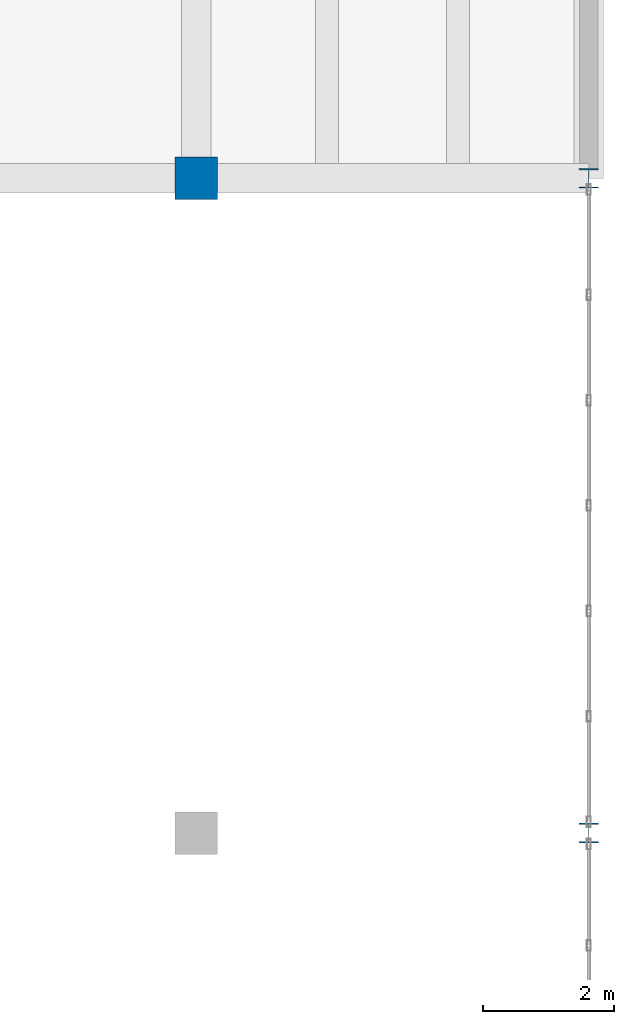
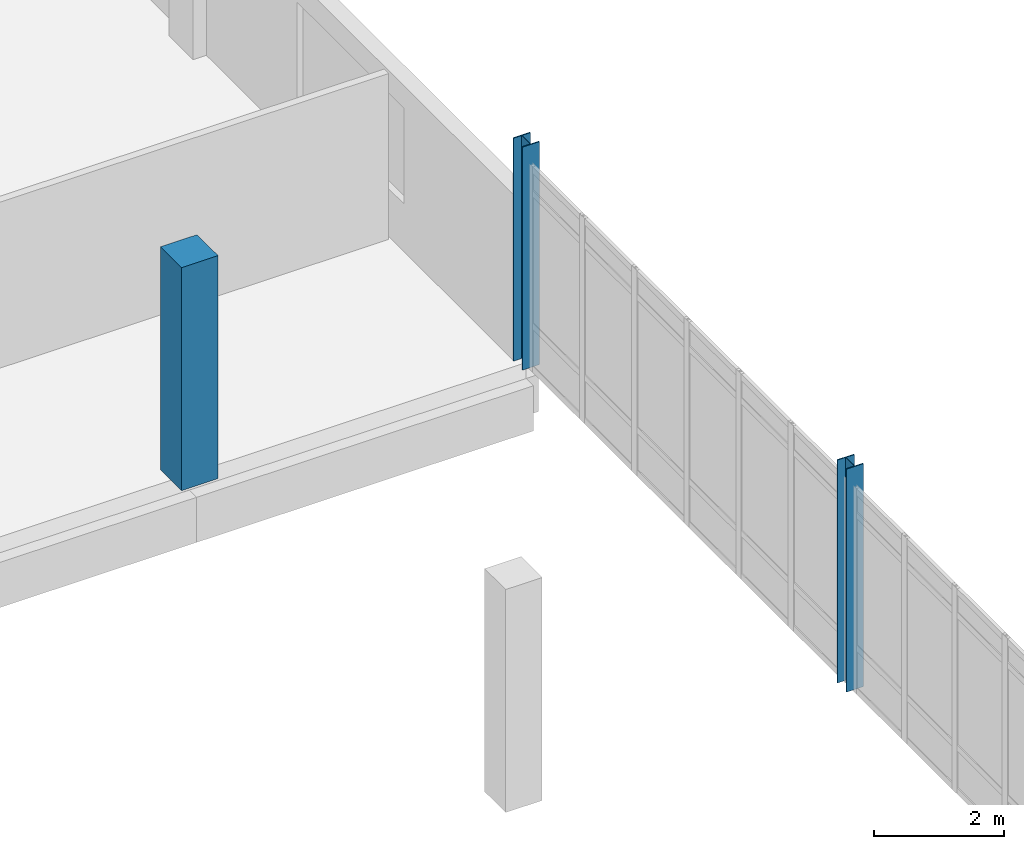
# One storey, part 5 of 161: 3 columns.
"""IFC4 building model written with IfcOpenShell, lengths in metres."""

from ifc_helpers import new_model, si_unit, direction, frame, origin, origin_2d, place, context, subcontext, project, spatial, rectangle, i_section, extrude, material, material_profile, profile_set, type_object, element, save


model = new_model("IFC4")

# Units and contexts
model_context = context("Model", 3, precision=1e-05, world=origin(), true_north=direction((0.0, 1.0)))
body_context = subcontext(model_context, "Body", "Model", "MODEL_VIEW")
ifc_project = project(units=[si_unit("LENGTHUNIT", "METRE"), si_unit("AREAUNIT", "SQUARE_METRE"), si_unit("VOLUMEUNIT", "CUBIC_METRE"), si_unit("PLANEANGLEUNIT", "RADIAN"), si_unit("MASSUNIT", "GRAM", prefix="KILO")], contexts=[model_context])

# Site, building, storey
site_placement = place(None, origin())
site = spatial("IfcSite", under=ifc_project, at=site_placement, CompositionType="ELEMENT")
building_placement = place(site_placement, origin())
building = spatial("IfcBuilding", under=site, at=building_placement, Name="Mersad Railyard Sports Hall", CompositionType="ELEMENT")
storey_placement = place(building_placement, frame((0.0, 0.0, 4.800048828125)))
storey = spatial("IfcBuildingStorey", under=building, at=storey_placement, Name="L01", CompositionType="ELEMENT", Elevation=4.800048828125)

# Columns
ifc_material_1 = material(Name="Concrete C40/50", Category="concrete")
ifc_material_profile_1 = material_profile(ifc_material_1, rectangle(XDim=0.64990234375, YDim=0.64990234375, at=origin_2d()), Name="RC 650x650")
ifc_profile_set_1 = profile_set([ifc_material_profile_1], Name="Concrete C40/50")
column_type_1 = type_object("IfcColumnType", Name="STR-COL-C04", PredefinedType="COLUMN", material=ifc_profile_set_1)
column_placement = place(storey_placement, frame((173.0, 95.0, 0.0), z_axis=(0.0, 0.0, 1.0), x_axis=(1.0, 0.0, 0.0)))
element("IfcColumn", 1, at=column_placement, inside=storey, type_object=column_type_1, Name="Column C04 L01 (173.0,95.0)", PredefinedType="COLUMN", context=body_context, shape_type="SweptSolid", body=[
    extrude(rectangle(XDim=0.64990234375, YDim=0.64990234375, at=origin_2d()), origin(), (0.0, 0.0, 1.0), 4.199951171875),
])
ifc_material_2 = material(Name="Steel S355", Category="steel")
ifc_material_profile_2 = material_profile(ifc_material_2, i_section(OverallWidth=0.300048828125, OverallDepth=0.300048828125, WebThickness=0.010986328125, FlangeThickness=0.01904296875, at=origin_2d()), Name="HEB 300")
ifc_profile_set_2 = profile_set([ifc_material_profile_2], Name="Steel S355")
column_type_2 = type_object("IfcColumnType", Name="STR-COL-C10", PredefinedType="COLUMN", material=ifc_profile_set_2)
for number, where, z_axis, x_axis, name in (
    (2, (179.0, 85.0, 0.0), (0.0, 0.0, 1.0), (1.0, 0.0, 0.0), "Column C10 L01 (179.0,85.0)"),
    (3, (179.0, 95.0, 0.0), (0.0, 0.0, 1.0), (1.0, 0.0, 0.0), "Column C10 L01 (179.0,95.0)"),
):
    element("IfcColumn", number, at=place(storey_placement, frame(where, z_axis=z_axis, x_axis=x_axis)), inside=storey, type_object=column_type_2, Name=name, PredefinedType="COLUMN", context=body_context, shape_type="SweptSolid", body=[
        extrude(i_section(OverallWidth=0.300048828125, OverallDepth=0.300048828125, WebThickness=0.010986328125, FlangeThickness=0.01904296875, at=origin_2d()), origin(), (0.0, 0.0, 1.0), 4.199951171875),
    ])

save(model, "model.ifc")
